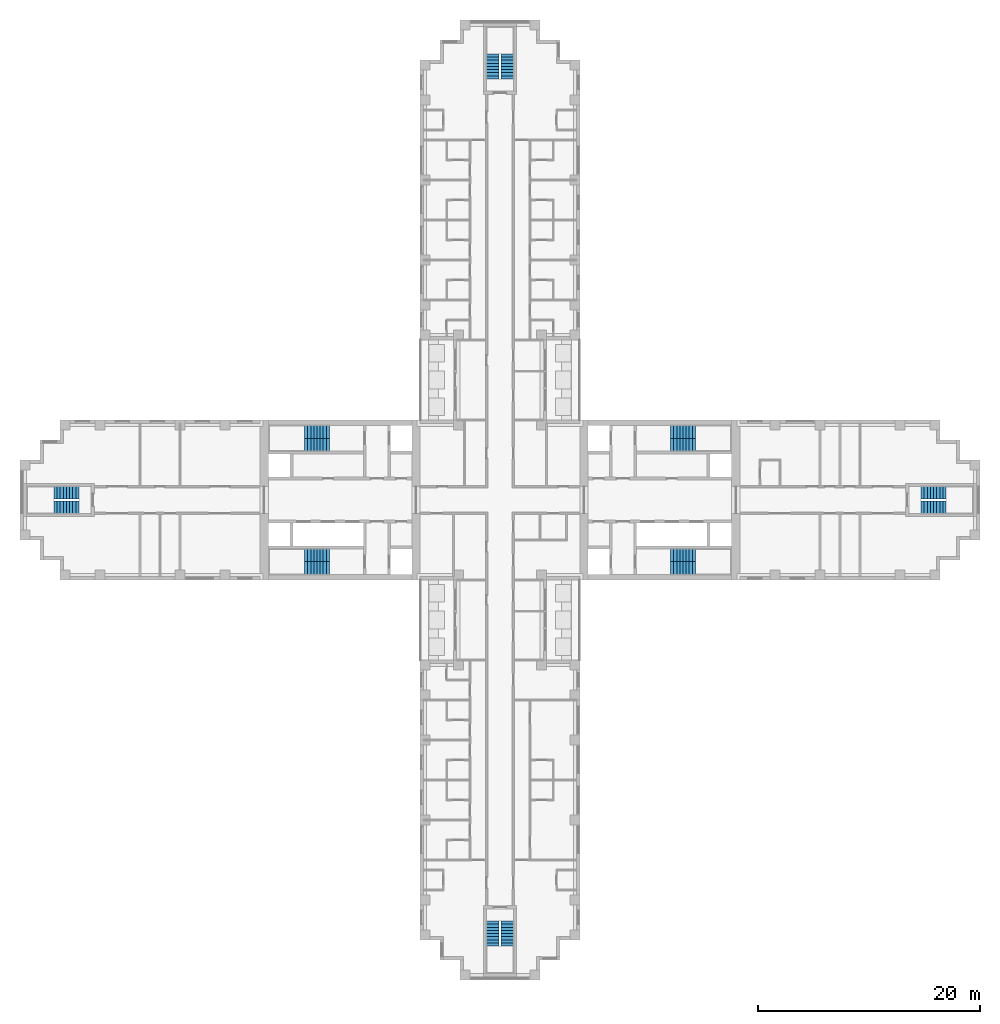
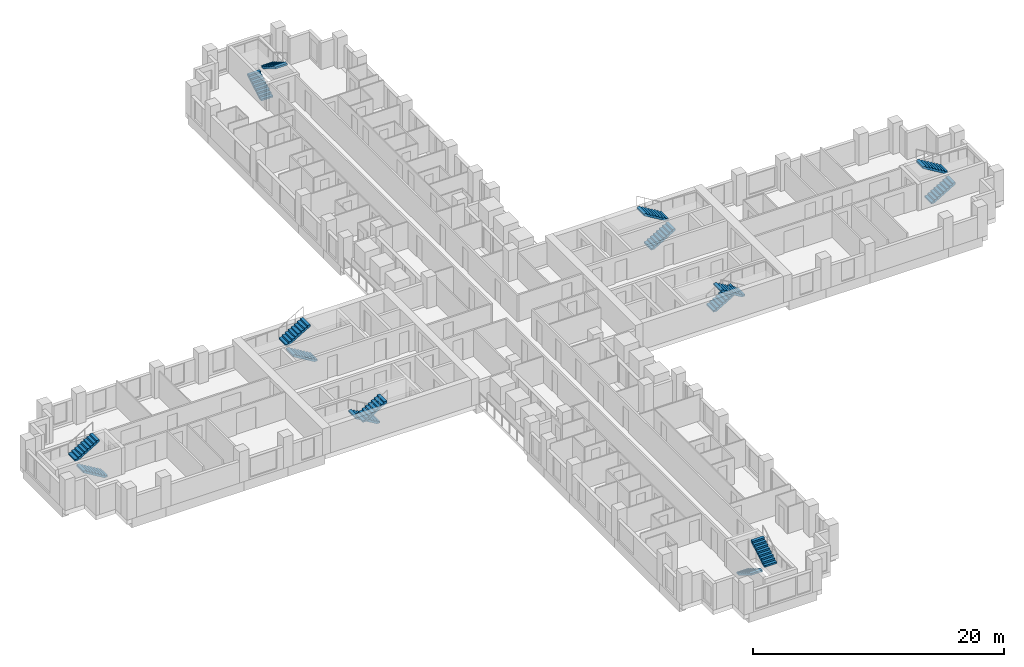
# One storey, part 13 of 15: 16 stair flights, 8 elements without a shape of their own.
"""IFC4 building model written with IfcOpenShell, lengths in metres."""

from ifc_helpers import new_model, si_unit, direction, frame, origin, place, context, subcontext, project, spatial, polyline, outline, extrude, material, type_object, element, aggregate, save


model = new_model("IFC4")

# Units and contexts
model_context = context("Model", 3, precision=1e-05, world=origin(), true_north=direction((0.0, 1.0)))
body_context = subcontext(model_context, "Body", "Model", "MODEL_VIEW")
ifc_project = project(units=[si_unit("LENGTHUNIT", "METRE"), si_unit("AREAUNIT", "SQUARE_METRE"), si_unit("VOLUMEUNIT", "CUBIC_METRE"), si_unit("PLANEANGLEUNIT", "RADIAN"), si_unit("MASSUNIT", "GRAM", prefix="KILO")], contexts=[model_context])

# Site, building, storey
site_placement = place(None, origin())
site = spatial("IfcSite", under=ifc_project, at=site_placement, CompositionType="ELEMENT")
building_placement = place(site_placement, origin())
building = spatial("IfcBuilding", under=site, at=building_placement, Name="Fustian Cross Tower", CompositionType="ELEMENT")
storey_placement = place(building_placement, frame((0.0, 0.0, 14.699951171875)))
storey = spatial("IfcBuildingStorey", under=building, at=storey_placement, Name="L03", CompositionType="ELEMENT", Elevation=14.699951171875)

# Stair, stair flights
ifc_material_1 = material(Name="Concrete C50/60", Category="concrete")
stair_type_1 = type_object("IfcStairType", Name="STAIR 1100 HALF TURN", PredefinedType="HALF_TURN_STAIR", material=ifc_material_1)
stair_1_placement = place(storey_placement, origin())
stair_1 = element("IfcStair", 1, at=stair_1_placement, inside=storey, type_object=stair_type_1, Name="Stair ST5", PredefinedType="HALF_TURN_STAIR")
ifc_material_2 = material(Name="Concrete C50/60", Category="concrete")
stair_flight_type_1 = type_object("IfcStairFlightType", Name="STAIR FLIGHT 1100", PredefinedType="STRAIGHT", material=ifc_material_2)
stair_flight_1_placement = place(storey_placement, frame((-0.64990234375, 37.89990234375, 0.0), z_axis=(0.0, 0.0, 1.0), x_axis=(0.0, 1.0, 0.0)))
stair_flight_1 = element("IfcStairFlight", 2, at=stair_flight_1_placement, type_object=stair_flight_type_1, Name="ST5 flight 1", NumberOfRisers=9, NumberOfTreads=8, PredefinedType="STRAIGHT", RiserHeight=0.166666667, TreadLength=0.28, context=body_context, shape_type="SweptSolid", body=[
    extrude(outline(polyline([(0.0, 0.0), (0.0, 0.166748046875), (0.280029296875, 0.166748046875), (0.280029296875, 0.333251953125), (0.56005859375, 0.333251953125), (0.56005859375, 0.5), (0.840087890625, 0.5), (0.840087890625, 0.666748046875), (1.1201171875, 0.666748046875), (1.1201171875, 0.833251953125), (1.39990234375, 0.833251953125), (1.39990234375, 1.0), (1.679931640625, 1.0), (1.679931640625, 1.166748046875), (1.9599609375, 1.166748046875), (1.9599609375, 1.333251953125), (2.239990234375, 1.333251953125), (2.239990234375, 1.5), (2.239990234375, 1.158935546875), (0.29296875, 0.0), (0.0, 0.0)])), frame((0.0, 0.550048828125, 0.0), z_axis=(0.0, -1.0, 0.0), x_axis=(1.0, 0.0, 0.0)), (0.0, 0.0, 1.0), 1.10009765625),
])
stair_flight_2_placement = place(storey_placement, frame((0.64990234375, 40.139892578125, 1.5), z_axis=(0.0, 0.0, 1.0), x_axis=(0.0, -1.0, 0.0)))
stair_flight_2 = element("IfcStairFlight", 3, at=stair_flight_2_placement, type_object=stair_flight_type_1, Name="ST5 flight 2", NumberOfRisers=9, NumberOfTreads=8, PredefinedType="STRAIGHT", RiserHeight=0.166666667, TreadLength=0.28, context=body_context, shape_type="SweptSolid", body=[
    extrude(outline(polyline([(0.0, 0.0), (0.0, 0.166748046875), (0.280029296875, 0.166748046875), (0.280029296875, 0.333251953125), (0.56005859375, 0.333251953125), (0.56005859375, 0.5), (0.840087890625, 0.5), (0.840087890625, 0.666748046875), (1.1201171875, 0.666748046875), (1.1201171875, 0.833251953125), (1.39990234375, 0.833251953125), (1.39990234375, 1.0), (1.679931640625, 1.0), (1.679931640625, 1.166748046875), (1.9599609375, 1.166748046875), (1.9599609375, 1.333251953125), (2.239990234375, 1.333251953125), (2.239990234375, 1.5), (2.239990234375, 1.158935546875), (0.29296875, 0.0), (0.0, 0.0)])), frame((0.0, 0.550048828125, 0.0), z_axis=(0.0, -1.0, 0.0), x_axis=(1.0, 0.0, 0.0)), (0.0, 0.0, 1.0), 1.10009765625),
])
aggregate(stair_1, [stair_flight_1, stair_flight_2])

stair_2_placement = place(storey_placement, origin())
stair_2 = element("IfcStair", 4, at=stair_2_placement, inside=storey, type_object=stair_type_1, Name="Stair ST6", PredefinedType="HALF_TURN_STAIR")
stair_flight_3_placement = place(storey_placement, frame((-0.64990234375, -37.89990234375, 0.0), z_axis=(0.0, 0.0, 1.0), x_axis=(0.0, -1.0, 0.0)))
stair_flight_3 = element("IfcStairFlight", 5, at=stair_flight_3_placement, type_object=stair_flight_type_1, Name="ST6 flight 1", NumberOfRisers=9, NumberOfTreads=8, PredefinedType="STRAIGHT", RiserHeight=0.166666667, TreadLength=0.28, context=body_context, shape_type="SweptSolid", body=[
    extrude(outline(polyline([(0.0, 0.0), (0.0, 0.166748046875), (0.280029296875, 0.166748046875), (0.280029296875, 0.333251953125), (0.56005859375, 0.333251953125), (0.56005859375, 0.5), (0.840087890625, 0.5), (0.840087890625, 0.666748046875), (1.1201171875, 0.666748046875), (1.1201171875, 0.833251953125), (1.39990234375, 0.833251953125), (1.39990234375, 1.0), (1.679931640625, 1.0), (1.679931640625, 1.166748046875), (1.9599609375, 1.166748046875), (1.9599609375, 1.333251953125), (2.239990234375, 1.333251953125), (2.239990234375, 1.5), (2.239990234375, 1.158935546875), (0.29296875, 0.0), (0.0, 0.0)])), frame((0.0, 0.550048828125, 0.0), z_axis=(0.0, -1.0, 0.0), x_axis=(1.0, 0.0, 0.0)), (0.0, 0.0, 1.0), 1.10009765625),
])
stair_flight_4_placement = place(storey_placement, frame((0.64990234375, -40.139892578125, 1.5), z_axis=(0.0, 0.0, 1.0), x_axis=(0.0, 1.0, 0.0)))
stair_flight_4 = element("IfcStairFlight", 6, at=stair_flight_4_placement, type_object=stair_flight_type_1, Name="ST6 flight 2", NumberOfRisers=9, NumberOfTreads=8, PredefinedType="STRAIGHT", RiserHeight=0.166666667, TreadLength=0.28, context=body_context, shape_type="SweptSolid", body=[
    extrude(outline(polyline([(0.0, 0.0), (0.0, 0.166748046875), (0.280029296875, 0.166748046875), (0.280029296875, 0.333251953125), (0.56005859375, 0.333251953125), (0.56005859375, 0.5), (0.840087890625, 0.5), (0.840087890625, 0.666748046875), (1.1201171875, 0.666748046875), (1.1201171875, 0.833251953125), (1.39990234375, 0.833251953125), (1.39990234375, 1.0), (1.679931640625, 1.0), (1.679931640625, 1.166748046875), (1.9599609375, 1.166748046875), (1.9599609375, 1.333251953125), (2.239990234375, 1.333251953125), (2.239990234375, 1.5), (2.239990234375, 1.158935546875), (0.29296875, 0.0), (0.0, 0.0)])), frame((0.0, 0.550048828125, 0.0), z_axis=(0.0, -1.0, 0.0), x_axis=(1.0, 0.0, 0.0)), (0.0, 0.0, 1.0), 1.10009765625),
])
aggregate(stair_2, [stair_flight_3, stair_flight_4])

stair_3_placement = place(storey_placement, origin())
stair_3 = element("IfcStair", 7, at=stair_3_placement, inside=storey, type_object=stair_type_1, Name="Stair ST8", PredefinedType="HALF_TURN_STAIR")
stair_flight_5_placement = place(storey_placement, frame((37.89990234375, -0.64990234375, 0.0), z_axis=(0.0, 0.0, 1.0), x_axis=(1.0, 0.0, 0.0)))
stair_flight_5 = element("IfcStairFlight", 8, at=stair_flight_5_placement, type_object=stair_flight_type_1, Name="ST8 flight 1", NumberOfRisers=9, NumberOfTreads=8, PredefinedType="STRAIGHT", RiserHeight=0.166666667, TreadLength=0.28, context=body_context, shape_type="SweptSolid", body=[
    extrude(outline(polyline([(0.0, 0.0), (0.0, 0.166748046875), (0.280029296875, 0.166748046875), (0.280029296875, 0.333251953125), (0.56005859375, 0.333251953125), (0.56005859375, 0.5), (0.840087890625, 0.5), (0.840087890625, 0.666748046875), (1.1201171875, 0.666748046875), (1.1201171875, 0.833251953125), (1.39990234375, 0.833251953125), (1.39990234375, 1.0), (1.679931640625, 1.0), (1.679931640625, 1.166748046875), (1.9599609375, 1.166748046875), (1.9599609375, 1.333251953125), (2.239990234375, 1.333251953125), (2.239990234375, 1.5), (2.239990234375, 1.158935546875), (0.29296875, 0.0), (0.0, 0.0)])), frame((0.0, 0.550048828125, 0.0), z_axis=(0.0, -1.0, 0.0), x_axis=(1.0, 0.0, 0.0)), (0.0, 0.0, 1.0), 1.10009765625),
])
stair_flight_6_placement = place(storey_placement, frame((40.139892578125, 0.64990234375, 1.5), z_axis=(0.0, 0.0, 1.0), x_axis=(-1.0, 0.0, 0.0)))
stair_flight_6 = element("IfcStairFlight", 9, at=stair_flight_6_placement, type_object=stair_flight_type_1, Name="ST8 flight 2", NumberOfRisers=9, NumberOfTreads=8, PredefinedType="STRAIGHT", RiserHeight=0.166666667, TreadLength=0.28, context=body_context, shape_type="SweptSolid", body=[
    extrude(outline(polyline([(0.0, 0.0), (0.0, 0.166748046875), (0.280029296875, 0.166748046875), (0.280029296875, 0.333251953125), (0.56005859375, 0.333251953125), (0.56005859375, 0.5), (0.840087890625, 0.5), (0.840087890625, 0.666748046875), (1.1201171875, 0.666748046875), (1.1201171875, 0.833251953125), (1.39990234375, 0.833251953125), (1.39990234375, 1.0), (1.679931640625, 1.0), (1.679931640625, 1.166748046875), (1.9599609375, 1.166748046875), (1.9599609375, 1.333251953125), (2.239990234375, 1.333251953125), (2.239990234375, 1.5), (2.239990234375, 1.158935546875), (0.29296875, 0.0), (0.0, 0.0)])), frame((0.0, 0.550048828125, 0.0), z_axis=(0.0, -1.0, 0.0), x_axis=(1.0, 0.0, 0.0)), (0.0, 0.0, 1.0), 1.10009765625),
])
aggregate(stair_3, [stair_flight_5, stair_flight_6])

stair_4_placement = place(storey_placement, origin())
stair_4 = element("IfcStair", 10, at=stair_4_placement, inside=storey, type_object=stair_type_1, Name="Stair ST9", PredefinedType="HALF_TURN_STAIR")
stair_flight_7_placement = place(storey_placement, frame((-37.89990234375, -0.64990234375, 0.0), z_axis=(0.0, 0.0, 1.0), x_axis=(-1.0, 0.0, 0.0)))
stair_flight_7 = element("IfcStairFlight", 11, at=stair_flight_7_placement, type_object=stair_flight_type_1, Name="ST9 flight 1", NumberOfRisers=9, NumberOfTreads=8, PredefinedType="STRAIGHT", RiserHeight=0.166666667, TreadLength=0.28, context=body_context, shape_type="SweptSolid", body=[
    extrude(outline(polyline([(0.0, 0.0), (0.0, 0.166748046875), (0.280029296875, 0.166748046875), (0.280029296875, 0.333251953125), (0.56005859375, 0.333251953125), (0.56005859375, 0.5), (0.840087890625, 0.5), (0.840087890625, 0.666748046875), (1.1201171875, 0.666748046875), (1.1201171875, 0.833251953125), (1.39990234375, 0.833251953125), (1.39990234375, 1.0), (1.679931640625, 1.0), (1.679931640625, 1.166748046875), (1.9599609375, 1.166748046875), (1.9599609375, 1.333251953125), (2.239990234375, 1.333251953125), (2.239990234375, 1.5), (2.239990234375, 1.158935546875), (0.29296875, 0.0), (0.0, 0.0)])), frame((0.0, 0.550048828125, 0.0), z_axis=(0.0, -1.0, 0.0), x_axis=(1.0, 0.0, 0.0)), (0.0, 0.0, 1.0), 1.10009765625),
])
stair_flight_8_placement = place(storey_placement, frame((-40.139892578125, 0.64990234375, 1.5), z_axis=(0.0, 0.0, 1.0), x_axis=(1.0, 0.0, 0.0)))
stair_flight_8 = element("IfcStairFlight", 12, at=stair_flight_8_placement, type_object=stair_flight_type_1, Name="ST9 flight 2", NumberOfRisers=9, NumberOfTreads=8, PredefinedType="STRAIGHT", RiserHeight=0.166666667, TreadLength=0.28, context=body_context, shape_type="SweptSolid", body=[
    extrude(outline(polyline([(0.0, 0.0), (0.0, 0.166748046875), (0.280029296875, 0.166748046875), (0.280029296875, 0.333251953125), (0.56005859375, 0.333251953125), (0.56005859375, 0.5), (0.840087890625, 0.5), (0.840087890625, 0.666748046875), (1.1201171875, 0.666748046875), (1.1201171875, 0.833251953125), (1.39990234375, 0.833251953125), (1.39990234375, 1.0), (1.679931640625, 1.0), (1.679931640625, 1.166748046875), (1.9599609375, 1.166748046875), (1.9599609375, 1.333251953125), (2.239990234375, 1.333251953125), (2.239990234375, 1.5), (2.239990234375, 1.158935546875), (0.29296875, 0.0), (0.0, 0.0)])), frame((0.0, 0.550048828125, 0.0), z_axis=(0.0, -1.0, 0.0), x_axis=(1.0, 0.0, 0.0)), (0.0, 0.0, 1.0), 1.10009765625),
])
aggregate(stair_4, [stair_flight_7, stair_flight_8])

ifc_material_3 = material(Name="Concrete C50/60", Category="concrete")
stair_type_2 = type_object("IfcStairType", Name="STAIR 1150 HALF TURN", PredefinedType="HALF_TURN_STAIR", material=ifc_material_3)
stair_5_placement = place(storey_placement, origin())
stair_5 = element("IfcStair", 13, at=stair_5_placement, inside=storey, type_object=stair_type_2, Name="Stair ST1", PredefinedType="HALF_TURN_STAIR")
ifc_material_4 = material(Name="Concrete C50/60", Category="concrete")
stair_flight_type_2 = type_object("IfcStairFlightType", Name="STAIR FLIGHT 1150", PredefinedType="STRAIGHT", material=ifc_material_4)
stair_flight_9_placement = place(storey_placement, frame((15.35009765625, 4.97509765625, 0.0), z_axis=(0.0, 0.0, 1.0), x_axis=(1.0, 0.0, 0.0)))
stair_flight_9 = element("IfcStairFlight", 14, at=stair_flight_9_placement, type_object=stair_flight_type_2, Name="ST1 flight 1", NumberOfRisers=9, NumberOfTreads=8, PredefinedType="STRAIGHT", RiserHeight=0.166666667, TreadLength=0.28, context=body_context, shape_type="SweptSolid", body=[
    extrude(outline(polyline([(0.0, 0.0), (0.0, 0.166748046875), (0.280029296875, 0.166748046875), (0.280029296875, 0.333251953125), (0.56005859375, 0.333251953125), (0.56005859375, 0.5), (0.840087890625, 0.5), (0.840087890625, 0.666748046875), (1.1201171875, 0.666748046875), (1.1201171875, 0.833251953125), (1.39990234375, 0.833251953125), (1.39990234375, 1.0), (1.679931640625, 1.0), (1.679931640625, 1.166748046875), (1.9599609375, 1.166748046875), (1.9599609375, 1.333251953125), (2.239990234375, 1.333251953125), (2.239990234375, 1.5), (2.239990234375, 1.158935546875), (0.29296875, 0.0), (0.0, 0.0)])), frame((0.0, 0.574951171875, 0.0), z_axis=(0.0, -1.0, 0.0), x_axis=(1.0, 0.0, 0.0)), (0.0, 0.0, 1.0), 1.14990234375),
])
stair_flight_10_placement = place(storey_placement, frame((17.590087890625, 6.125, 1.5), z_axis=(0.0, 0.0, 1.0), x_axis=(-1.0, 0.0, 0.0)))
stair_flight_10 = element("IfcStairFlight", 15, at=stair_flight_10_placement, type_object=stair_flight_type_2, Name="ST1 flight 2", NumberOfRisers=9, NumberOfTreads=8, PredefinedType="STRAIGHT", RiserHeight=0.166666667, TreadLength=0.28, context=body_context, shape_type="SweptSolid", body=[
    extrude(outline(polyline([(0.0, 0.0), (0.0, 0.166748046875), (0.280029296875, 0.166748046875), (0.280029296875, 0.333251953125), (0.56005859375, 0.333251953125), (0.56005859375, 0.5), (0.840087890625, 0.5), (0.840087890625, 0.666748046875), (1.1201171875, 0.666748046875), (1.1201171875, 0.833251953125), (1.39990234375, 0.833251953125), (1.39990234375, 1.0), (1.679931640625, 1.0), (1.679931640625, 1.166748046875), (1.9599609375, 1.166748046875), (1.9599609375, 1.333251953125), (2.239990234375, 1.333251953125), (2.239990234375, 1.5), (2.239990234375, 1.158935546875), (0.29296875, 0.0), (0.0, 0.0)])), frame((0.0, 0.574951171875, 0.0), z_axis=(0.0, -1.0, 0.0), x_axis=(1.0, 0.0, 0.0)), (0.0, 0.0, 1.0), 1.14990234375),
])
aggregate(stair_5, [stair_flight_9, stair_flight_10])

stair_6_placement = place(storey_placement, origin())
stair_6 = element("IfcStair", 16, at=stair_6_placement, inside=storey, type_object=stair_type_2, Name="Stair ST2", PredefinedType="HALF_TURN_STAIR")
stair_flight_11_placement = place(storey_placement, frame((15.35009765625, -4.97509765625, 0.0), z_axis=(0.0, 0.0, 1.0), x_axis=(1.0, 0.0, 0.0)))
stair_flight_11 = element("IfcStairFlight", 17, at=stair_flight_11_placement, type_object=stair_flight_type_2, Name="ST2 flight 1", NumberOfRisers=9, NumberOfTreads=8, PredefinedType="STRAIGHT", RiserHeight=0.166666667, TreadLength=0.28, context=body_context, shape_type="SweptSolid", body=[
    extrude(outline(polyline([(0.0, 0.0), (0.0, 0.166748046875), (0.280029296875, 0.166748046875), (0.280029296875, 0.333251953125), (0.56005859375, 0.333251953125), (0.56005859375, 0.5), (0.840087890625, 0.5), (0.840087890625, 0.666748046875), (1.1201171875, 0.666748046875), (1.1201171875, 0.833251953125), (1.39990234375, 0.833251953125), (1.39990234375, 1.0), (1.679931640625, 1.0), (1.679931640625, 1.166748046875), (1.9599609375, 1.166748046875), (1.9599609375, 1.333251953125), (2.239990234375, 1.333251953125), (2.239990234375, 1.5), (2.239990234375, 1.158935546875), (0.29296875, 0.0), (0.0, 0.0)])), frame((0.0, 0.574951171875, 0.0), z_axis=(0.0, -1.0, 0.0), x_axis=(1.0, 0.0, 0.0)), (0.0, 0.0, 1.0), 1.14990234375),
])
stair_flight_12_placement = place(storey_placement, frame((17.590087890625, -6.125, 1.5), z_axis=(0.0, 0.0, 1.0), x_axis=(-1.0, 0.0, 0.0)))
stair_flight_12 = element("IfcStairFlight", 18, at=stair_flight_12_placement, type_object=stair_flight_type_2, Name="ST2 flight 2", NumberOfRisers=9, NumberOfTreads=8, PredefinedType="STRAIGHT", RiserHeight=0.166666667, TreadLength=0.28, context=body_context, shape_type="SweptSolid", body=[
    extrude(outline(polyline([(0.0, 0.0), (0.0, 0.166748046875), (0.280029296875, 0.166748046875), (0.280029296875, 0.333251953125), (0.56005859375, 0.333251953125), (0.56005859375, 0.5), (0.840087890625, 0.5), (0.840087890625, 0.666748046875), (1.1201171875, 0.666748046875), (1.1201171875, 0.833251953125), (1.39990234375, 0.833251953125), (1.39990234375, 1.0), (1.679931640625, 1.0), (1.679931640625, 1.166748046875), (1.9599609375, 1.166748046875), (1.9599609375, 1.333251953125), (2.239990234375, 1.333251953125), (2.239990234375, 1.5), (2.239990234375, 1.158935546875), (0.29296875, 0.0), (0.0, 0.0)])), frame((0.0, 0.574951171875, 0.0), z_axis=(0.0, -1.0, 0.0), x_axis=(1.0, 0.0, 0.0)), (0.0, 0.0, 1.0), 1.14990234375),
])
aggregate(stair_6, [stair_flight_11, stair_flight_12])

stair_7_placement = place(storey_placement, origin())
stair_7 = element("IfcStair", 19, at=stair_7_placement, inside=storey, type_object=stair_type_2, Name="Stair ST3", PredefinedType="HALF_TURN_STAIR")
stair_flight_13_placement = place(storey_placement, frame((-15.35009765625, 4.97509765625, 0.0), z_axis=(0.0, 0.0, 1.0), x_axis=(-1.0, 0.0, 0.0)))
stair_flight_13 = element("IfcStairFlight", 20, at=stair_flight_13_placement, type_object=stair_flight_type_2, Name="ST3 flight 1", NumberOfRisers=9, NumberOfTreads=8, PredefinedType="STRAIGHT", RiserHeight=0.166666667, TreadLength=0.28, context=body_context, shape_type="SweptSolid", body=[
    extrude(outline(polyline([(0.0, 0.0), (0.0, 0.166748046875), (0.280029296875, 0.166748046875), (0.280029296875, 0.333251953125), (0.56005859375, 0.333251953125), (0.56005859375, 0.5), (0.840087890625, 0.5), (0.840087890625, 0.666748046875), (1.1201171875, 0.666748046875), (1.1201171875, 0.833251953125), (1.39990234375, 0.833251953125), (1.39990234375, 1.0), (1.679931640625, 1.0), (1.679931640625, 1.166748046875), (1.9599609375, 1.166748046875), (1.9599609375, 1.333251953125), (2.239990234375, 1.333251953125), (2.239990234375, 1.5), (2.239990234375, 1.158935546875), (0.29296875, 0.0), (0.0, 0.0)])), frame((0.0, 0.574951171875, 0.0), z_axis=(0.0, -1.0, 0.0), x_axis=(1.0, 0.0, 0.0)), (0.0, 0.0, 1.0), 1.14990234375),
])
stair_flight_14_placement = place(storey_placement, frame((-17.590087890625, 6.125, 1.5), z_axis=(0.0, 0.0, 1.0), x_axis=(1.0, 0.0, 0.0)))
stair_flight_14 = element("IfcStairFlight", 21, at=stair_flight_14_placement, type_object=stair_flight_type_2, Name="ST3 flight 2", NumberOfRisers=9, NumberOfTreads=8, PredefinedType="STRAIGHT", RiserHeight=0.166666667, TreadLength=0.28, context=body_context, shape_type="SweptSolid", body=[
    extrude(outline(polyline([(0.0, 0.0), (0.0, 0.166748046875), (0.280029296875, 0.166748046875), (0.280029296875, 0.333251953125), (0.56005859375, 0.333251953125), (0.56005859375, 0.5), (0.840087890625, 0.5), (0.840087890625, 0.666748046875), (1.1201171875, 0.666748046875), (1.1201171875, 0.833251953125), (1.39990234375, 0.833251953125), (1.39990234375, 1.0), (1.679931640625, 1.0), (1.679931640625, 1.166748046875), (1.9599609375, 1.166748046875), (1.9599609375, 1.333251953125), (2.239990234375, 1.333251953125), (2.239990234375, 1.5), (2.239990234375, 1.158935546875), (0.29296875, 0.0), (0.0, 0.0)])), frame((0.0, 0.574951171875, 0.0), z_axis=(0.0, -1.0, 0.0), x_axis=(1.0, 0.0, 0.0)), (0.0, 0.0, 1.0), 1.14990234375),
])
aggregate(stair_7, [stair_flight_13, stair_flight_14])

stair_8_placement = place(storey_placement, origin())
stair_8 = element("IfcStair", 22, at=stair_8_placement, inside=storey, type_object=stair_type_2, Name="Stair ST4", PredefinedType="HALF_TURN_STAIR")
stair_flight_15_placement = place(storey_placement, frame((-15.35009765625, -4.97509765625, 0.0), z_axis=(0.0, 0.0, 1.0), x_axis=(-1.0, 0.0, 0.0)))
stair_flight_15 = element("IfcStairFlight", 23, at=stair_flight_15_placement, type_object=stair_flight_type_2, Name="ST4 flight 1", NumberOfRisers=9, NumberOfTreads=8, PredefinedType="STRAIGHT", RiserHeight=0.166666667, TreadLength=0.28, context=body_context, shape_type="SweptSolid", body=[
    extrude(outline(polyline([(0.0, 0.0), (0.0, 0.166748046875), (0.280029296875, 0.166748046875), (0.280029296875, 0.333251953125), (0.56005859375, 0.333251953125), (0.56005859375, 0.5), (0.840087890625, 0.5), (0.840087890625, 0.666748046875), (1.1201171875, 0.666748046875), (1.1201171875, 0.833251953125), (1.39990234375, 0.833251953125), (1.39990234375, 1.0), (1.679931640625, 1.0), (1.679931640625, 1.166748046875), (1.9599609375, 1.166748046875), (1.9599609375, 1.333251953125), (2.239990234375, 1.333251953125), (2.239990234375, 1.5), (2.239990234375, 1.158935546875), (0.29296875, 0.0), (0.0, 0.0)])), frame((0.0, 0.574951171875, 0.0), z_axis=(0.0, -1.0, 0.0), x_axis=(1.0, 0.0, 0.0)), (0.0, 0.0, 1.0), 1.14990234375),
])
stair_flight_16_placement = place(storey_placement, frame((-17.590087890625, -6.125, 1.5), z_axis=(0.0, 0.0, 1.0), x_axis=(1.0, 0.0, 0.0)))
stair_flight_16 = element("IfcStairFlight", 24, at=stair_flight_16_placement, type_object=stair_flight_type_2, Name="ST4 flight 2", NumberOfRisers=9, NumberOfTreads=8, PredefinedType="STRAIGHT", RiserHeight=0.166666667, TreadLength=0.28, context=body_context, shape_type="SweptSolid", body=[
    extrude(outline(polyline([(0.0, 0.0), (0.0, 0.166748046875), (0.280029296875, 0.166748046875), (0.280029296875, 0.333251953125), (0.56005859375, 0.333251953125), (0.56005859375, 0.5), (0.840087890625, 0.5), (0.840087890625, 0.666748046875), (1.1201171875, 0.666748046875), (1.1201171875, 0.833251953125), (1.39990234375, 0.833251953125), (1.39990234375, 1.0), (1.679931640625, 1.0), (1.679931640625, 1.166748046875), (1.9599609375, 1.166748046875), (1.9599609375, 1.333251953125), (2.239990234375, 1.333251953125), (2.239990234375, 1.5), (2.239990234375, 1.158935546875), (0.29296875, 0.0), (0.0, 0.0)])), frame((0.0, 0.574951171875, 0.0), z_axis=(0.0, -1.0, 0.0), x_axis=(1.0, 0.0, 0.0)), (0.0, 0.0, 1.0), 1.14990234375),
])
aggregate(stair_8, [stair_flight_15, stair_flight_16])

save(model, "model.ifc")
